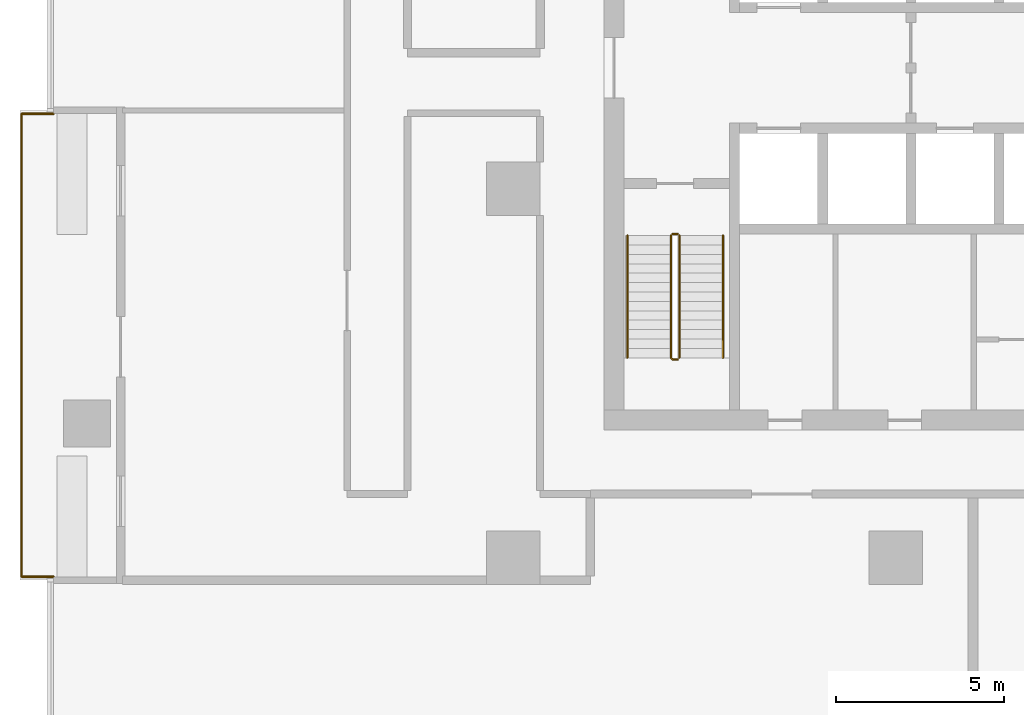
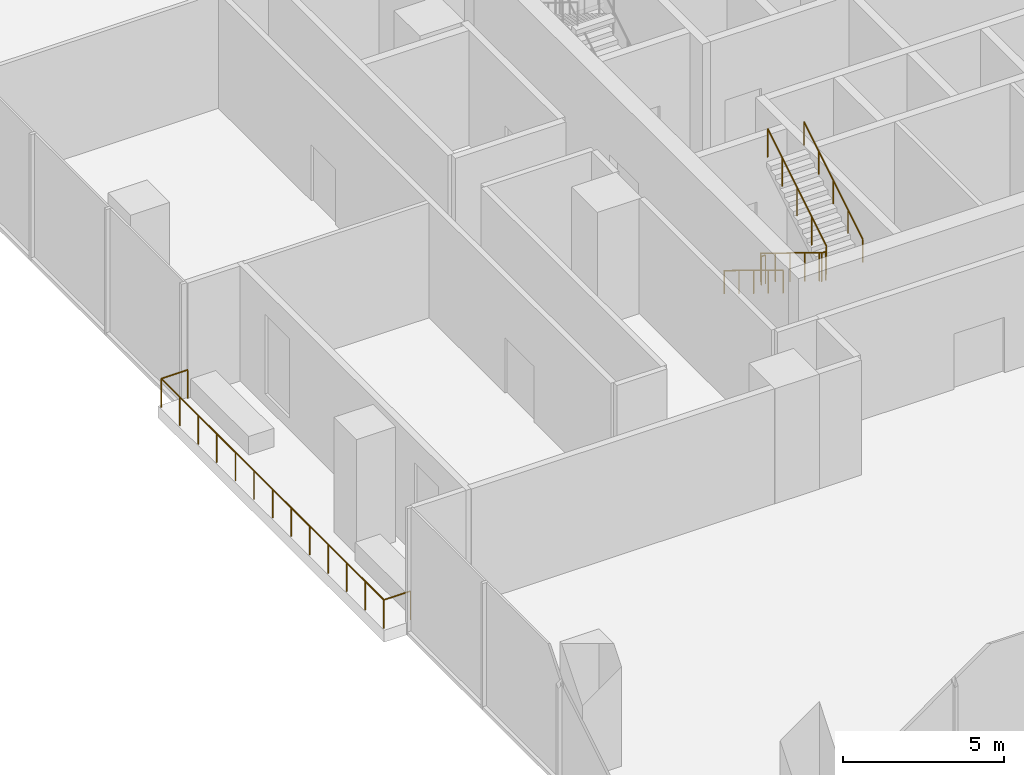
# One storey, part 12 of 14: 6 railings.
"""IFC4 building model written with IfcOpenShell, lengths in metres."""

from ifc_helpers import new_model, si_unit, direction, frame, origin, origin_2d, place, context, subcontext, project, spatial, circle, extrude, material, type_object, element, save


model = new_model("IFC4")

# Units and contexts
model_context = context("Model", 3, precision=1e-05, world=origin(), true_north=direction((0.0, 1.0)))
body_context = subcontext(model_context, "Body", "Model", "MODEL_VIEW")
ifc_project = project(units=[si_unit("LENGTHUNIT", "METRE"), si_unit("AREAUNIT", "SQUARE_METRE"), si_unit("VOLUMEUNIT", "CUBIC_METRE"), si_unit("PLANEANGLEUNIT", "RADIAN"), si_unit("MASSUNIT", "GRAM", prefix="KILO")], contexts=[model_context])

# Site, building, storey
site_placement = place(None, origin())
site = spatial("IfcSite", under=ifc_project, at=site_placement, CompositionType="ELEMENT")
building_placement = place(site_placement, origin())
building = spatial("IfcBuilding", under=site, at=building_placement, Name="Mopane Tessera Tower", CompositionType="ELEMENT")
storey_placement = place(building_placement, frame((0.0, 0.0, 55.0)))
storey = spatial("IfcBuildingStorey", under=building, at=storey_placement, Name="L10", CompositionType="ELEMENT", Elevation=55.0)

# Railings
ifc_material_1 = material(Name="Powder-coated steel balustrade", Category="steel")
railing_type_1 = type_object("IfcRailingType", Name="Escape stair guard 1100 mm", PredefinedType="GUARDRAIL", material=ifc_material_1)
railing_1_placement = place(storey_placement, frame((-12.39990234375, -1.39990234375, 0.17138671875)))
element("IfcRailing", 1, at=railing_1_placement, inside=storey, type_object=railing_type_1, Name="L10 ST1 stair guard 1", PredefinedType="GUARDRAIL", context=body_context, shape_type="SweptSolid", body=[
    extrude(circle(Radius=0.02392578125, at=origin_2d()), frame((0.0, 0.0, 1.076171875), z_axis=(0.0, -0.852865859571, 0.52213008492), x_axis=(1.0, 0.0, 0.0)), (0.0, 0.0, 1.0), 4.26806640625),
    extrude(circle(Radius=0.02392578125, at=origin_2d()), frame((0.0, -3.64013671875, 3.3046875), z_axis=(0.705375805398, -0.708833529934, 0.0), x_axis=(0.708833529934, 0.705375805398, 0.0)), (0.0, 0.0, 1.0), 0.070556640625),
    extrude(circle(Radius=0.02392578125, at=origin_2d()), frame((0.0498046875, -3.690185546875, 3.3046875), z_axis=(1.0, 0.0, 0.0), x_axis=(0.0, 1.0, 0.0)), (0.0, 0.0, 1.0), 0.150146484375),
    extrude(circle(Radius=0.02099609375, at=origin_2d()), origin(), (0.0, 0.0, 1.0), 1.052001953125),
    extrude(circle(Radius=0.02099609375, at=origin_2d()), frame((0.0, -0.91015625, 0.55712890625)), (0.0, 0.0, 1.0), 1.052001953125),
    extrude(circle(Radius=0.02099609375, at=origin_2d()), frame((0.0, -1.820068359375, 1.1142578125)), (0.0, 0.0, 1.0), 1.052001953125),
    extrude(circle(Radius=0.02099609375, at=origin_2d()), frame((0.0, -2.72998046875, 1.67138671875)), (0.0, 0.0, 1.0), 1.052001953125),
    extrude(circle(Radius=0.02099609375, at=origin_2d()), frame((0.0, -3.64013671875, 2.228515625)), (0.0, 0.0, 1.0), 1.052001953125),
    extrude(circle(Radius=0.02099609375, at=origin_2d()), frame((0.0498046875, -3.690185546875, 2.228515625)), (0.0, 0.0, 1.0), 1.052001953125),
    extrude(circle(Radius=0.02099609375, at=origin_2d()), frame((0.199951171875, -3.690185546875, 2.228515625)), (0.0, 0.0, 1.0), 1.052001953125),
])
railing_2_placement = place(storey_placement, frame((-12.14990234375, -5.0400390625, 2.571533203125)))
element("IfcRailing", 2, at=railing_2_placement, inside=storey, type_object=railing_type_1, Name="L10 ST1 stair guard 2", PredefinedType="GUARDRAIL", context=body_context, shape_type="SweptSolid", body=[
    extrude(circle(Radius=0.02392578125, at=origin_2d()), frame((0.0, 0.0, 1.076171875), z_axis=(0.0, 0.852865859571, 0.52213008492), x_axis=(-1.0, 0.0, 0.0)), (0.0, 0.0, 1.0), 4.26806640625),
    extrude(circle(Radius=0.02099609375, at=origin_2d()), origin(), (0.0, 0.0, 1.0), 1.052001953125),
    extrude(circle(Radius=0.02099609375, at=origin_2d()), frame((0.0, 0.91015625, 0.55712890625)), (0.0, 0.0, 1.0), 1.052001953125),
    extrude(circle(Radius=0.02099609375, at=origin_2d()), frame((0.0, 1.820068359375, 1.1142578125)), (0.0, 0.0, 1.0), 1.052001953125),
    extrude(circle(Radius=0.02099609375, at=origin_2d()), frame((0.0, 2.72998046875, 1.67138671875)), (0.0, 0.0, 1.0), 1.052001953125),
    extrude(circle(Radius=0.02099609375, at=origin_2d()), frame((0.0, 3.64013671875, 2.228515625)), (0.0, 0.0, 1.0), 1.052001953125),
])
railing_3_placement = place(storey_placement, frame((-12.35009765625, -1.35009765625, 0.0)))
element("IfcRailing", 3, at=railing_3_placement, inside=storey, type_object=railing_type_1, Name="L10 ST1 stair guard 3", PredefinedType="GUARDRAIL", context=body_context, shape_type="SweptSolid", body=[
    extrude(circle(Radius=0.02392578125, at=origin_2d()), frame((0.0, 0.0, 1.076171875), z_axis=(1.0, 0.0, 0.0), x_axis=(0.0, 1.0, 0.0)), (0.0, 0.0, 1.0), 0.150146484375),
    extrude(circle(Radius=0.02099609375, at=origin_2d()), origin(), (0.0, 0.0, 1.0), 1.052001953125),
    extrude(circle(Radius=0.02099609375, at=origin_2d()), frame((0.150146484375, 0.0, 0.0)), (0.0, 0.0, 1.0), 1.052001953125),
])
ifc_material_2 = material(Name="Powder-coated steel balustrade", Category="steel")
railing_type_2 = type_object("IfcRailingType", Name="Escape stair handrail 900 mm", PredefinedType="HANDRAIL", material=ifc_material_2)
railing_4_placement = place(storey_placement, frame((-13.699951171875, -1.39990234375, 0.17138671875)))
element("IfcRailing", 4, at=railing_4_placement, inside=storey, type_object=railing_type_2, Name="L10 ST1 stair handrail 1", PredefinedType="HANDRAIL", context=body_context, shape_type="SweptSolid", body=[
    extrude(circle(Radius=0.02392578125, at=origin_2d()), frame((0.0, 0.0, 0.8759765625), z_axis=(0.0, -0.852865859571, 0.52213008492), x_axis=(1.0, 0.0, 0.0)), (0.0, 0.0, 1.0), 4.26806640625),
    extrude(circle(Radius=0.02099609375, at=origin_2d()), origin(), (0.0, 0.0, 1.0), 0.851806640625),
    extrude(circle(Radius=0.02099609375, at=origin_2d()), frame((0.0, -0.91015625, 0.55712890625)), (0.0, 0.0, 1.0), 0.851806640625),
    extrude(circle(Radius=0.02099609375, at=origin_2d()), frame((0.0, -1.820068359375, 1.1142578125)), (0.0, 0.0, 1.0), 0.851806640625),
    extrude(circle(Radius=0.02099609375, at=origin_2d()), frame((0.0, -2.72998046875, 1.67138671875)), (0.0, 0.0, 1.0), 0.851806640625),
    extrude(circle(Radius=0.02099609375, at=origin_2d()), frame((0.0, -3.64013671875, 2.228515625)), (0.0, 0.0, 1.0), 0.851806640625),
])
railing_5_placement = place(storey_placement, frame((-10.85009765625, -5.0400390625, 2.571533203125)))
element("IfcRailing", 5, at=railing_5_placement, inside=storey, type_object=railing_type_2, Name="L10 ST1 stair handrail 2", PredefinedType="HANDRAIL", context=body_context, shape_type="SweptSolid", body=[
    extrude(circle(Radius=0.02392578125, at=origin_2d()), frame((0.0, 0.0, 0.8759765625), z_axis=(0.0, 0.852865859571, 0.52213008492), x_axis=(-1.0, 0.0, 0.0)), (0.0, 0.0, 1.0), 4.26806640625),
    extrude(circle(Radius=0.02099609375, at=origin_2d()), origin(), (0.0, 0.0, 1.0), 0.851806640625),
    extrude(circle(Radius=0.02099609375, at=origin_2d()), frame((0.0, 0.91015625, 0.55712890625)), (0.0, 0.0, 1.0), 0.851806640625),
    extrude(circle(Radius=0.02099609375, at=origin_2d()), frame((0.0, 1.820068359375, 1.1142578125)), (0.0, 0.0, 1.0), 0.851806640625),
    extrude(circle(Radius=0.02099609375, at=origin_2d()), frame((0.0, 2.72998046875, 1.67138671875)), (0.0, 0.0, 1.0), 0.851806640625),
    extrude(circle(Radius=0.02099609375, at=origin_2d()), frame((0.0, 3.64013671875, 2.228515625)), (0.0, 0.0, 1.0), 0.851806640625),
])
ifc_material_3 = material(Name="Stainless steel S316", Category="steel")
railing_type_3 = type_object("IfcRailingType", Name="Terrace guard 1100", PredefinedType="GUARDRAIL", material=ifc_material_3)
railing_6_placement = place(storey_placement, frame((-30.800048828125, 2.2333984375, 0.0)))
element("IfcRailing", 6, at=railing_6_placement, inside=storey, type_object=railing_type_3, Name="e:nw:L10:N3:guard", PredefinedType="GUARDRAIL", context=body_context, shape_type="SweptSolid", body=[
    extrude(circle(Radius=0.02392578125, at=origin_2d()), frame((0.0, 0.0, 1.076171875), z_axis=(-1.0, 0.0, 0.0), x_axis=(0.0, -1.0, 0.0)), (0.0, 0.0, 1.0), 0.949951171875),
    extrude(circle(Radius=0.02392578125, at=origin_2d()), frame((-0.949951171875, 0.0, 1.076171875), z_axis=(0.0, -1.0, 0.0), x_axis=(1.0, 0.0, 0.0)), (0.0, 0.0, 1.0), 13.800048828125),
    extrude(circle(Radius=0.02392578125, at=origin_2d()), frame((-0.949951171875, -13.800048828125, 1.076171875), z_axis=(1.0, 0.0, 0.0), x_axis=(0.0, 1.0, 0.0)), (0.0, 0.0, 1.0), 0.949951171875),
    extrude(circle(Radius=0.02099609375, at=origin_2d()), origin(), (0.0, 0.0, 1.0), 1.052001953125),
    extrude(circle(Radius=0.02099609375, at=origin_2d()), frame((-0.949951171875, 0.0, 0.0)), (0.0, 0.0, 1.0), 1.052001953125),
    extrude(circle(Radius=0.02099609375, at=origin_2d()), frame((-0.949951171875, -1.14990234375, 0.0)), (0.0, 0.0, 1.0), 1.052001953125),
    extrude(circle(Radius=0.02099609375, at=origin_2d()), frame((-0.949951171875, -2.300048828125, 0.0)), (0.0, 0.0, 1.0), 1.052001953125),
    extrude(circle(Radius=0.02099609375, at=origin_2d()), frame((-0.949951171875, -3.449951171875, 0.0)), (0.0, 0.0, 1.0), 1.052001953125),
    extrude(circle(Radius=0.02099609375, at=origin_2d()), frame((-0.949951171875, -4.60009765625, 0.0)), (0.0, 0.0, 1.0), 1.052001953125),
    extrude(circle(Radius=0.02099609375, at=origin_2d()), frame((-0.949951171875, -5.75, 0.0)), (0.0, 0.0, 1.0), 1.052001953125),
    extrude(circle(Radius=0.02099609375, at=origin_2d()), frame((-0.949951171875, -6.89990234375, 0.0)), (0.0, 0.0, 1.0), 1.052001953125),
    extrude(circle(Radius=0.02099609375, at=origin_2d()), frame((-0.949951171875, -8.050048828125, 0.0)), (0.0, 0.0, 1.0), 1.052001953125),
    extrude(circle(Radius=0.02099609375, at=origin_2d()), frame((-0.949951171875, -9.199951171875, 0.0)), (0.0, 0.0, 1.0), 1.052001953125),
    extrude(circle(Radius=0.02099609375, at=origin_2d()), frame((-0.949951171875, -10.35009765625, 0.0)), (0.0, 0.0, 1.0), 1.052001953125),
    extrude(circle(Radius=0.02099609375, at=origin_2d()), frame((-0.949951171875, -11.5, 0.0)), (0.0, 0.0, 1.0), 1.052001953125),
    extrude(circle(Radius=0.02099609375, at=origin_2d()), frame((-0.949951171875, -12.650146484375, 0.0)), (0.0, 0.0, 1.0), 1.052001953125),
    extrude(circle(Radius=0.02099609375, at=origin_2d()), frame((-0.949951171875, -13.800048828125, 0.0)), (0.0, 0.0, 1.0), 1.052001953125),
    extrude(circle(Radius=0.02099609375, at=origin_2d()), frame((0.0, -13.800048828125, 0.0)), (0.0, 0.0, 1.0), 1.052001953125),
])

save(model, "model.ifc")
